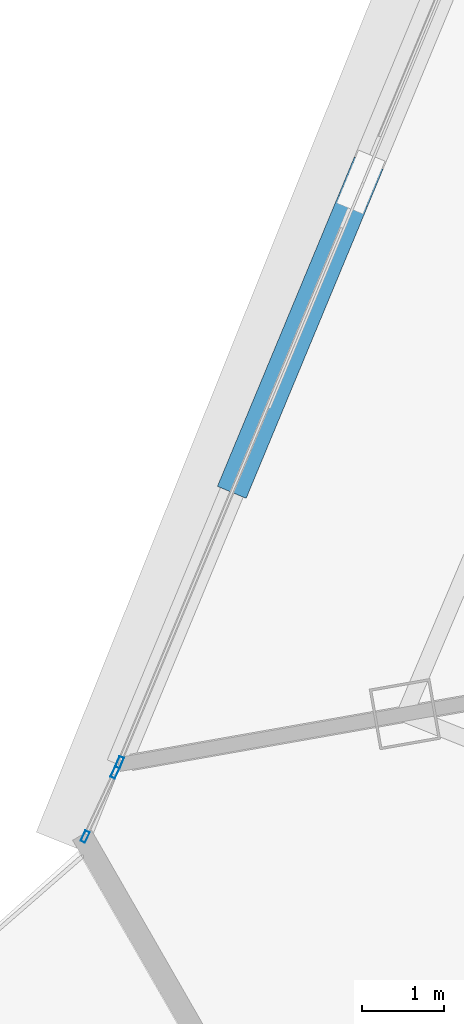
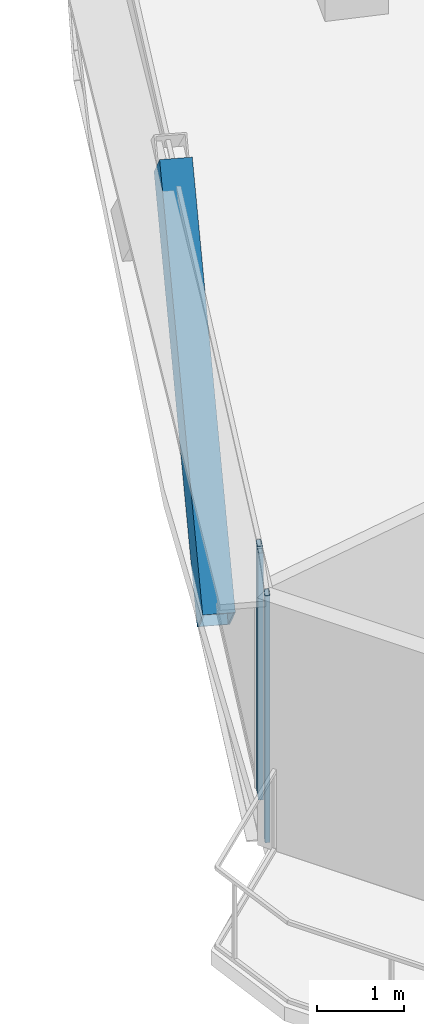
# One storey, part 4 of 37: 4 members, 2 elements without a shape of their own.
"""IFC4 building model written with IfcOpenShell, lengths in metres."""

from ifc_helpers import new_model, si_unit, direction, frame, origin, origin_2d, place, context, subcontext, project, spatial, hollow_rectangle, extrude, source, transform, mapped, material, layer, layer_set, material_profile, profile_set, type_object, element, aggregate, save


model = new_model("IFC4")

# Units and contexts
model_context = context("Model", 3, precision=1e-05, world=origin(), true_north=direction((0.0, 1.0)))
body_context = subcontext(model_context, "Body", "Model", "MODEL_VIEW")
ifc_project = project(units=[si_unit("LENGTHUNIT", "METRE"), si_unit("AREAUNIT", "SQUARE_METRE"), si_unit("VOLUMEUNIT", "CUBIC_METRE"), si_unit("PLANEANGLEUNIT", "RADIAN"), si_unit("MASSUNIT", "GRAM", prefix="KILO"), si_unit("THERMODYNAMICTEMPERATUREUNIT", "KELVIN"), si_unit("POWERUNIT", "WATT")], contexts=[model_context])

# Site, building, storey
site_placement = place(None, origin())
site = spatial("IfcSite", under=ifc_project, at=site_placement, CompositionType="ELEMENT")
building_placement = place(site_placement, origin())
building = spatial("IfcBuilding", under=site, at=building_placement, Name="Yunzhuo Pagoda Commons", CompositionType="ELEMENT")
storey_placement = place(building_placement, frame((0.0, 0.0, 277.56005859375)))
storey = spatial("IfcBuildingStorey", under=building, at=storey_placement, Name="L69", CompositionType="ELEMENT", Elevation=277.56005859375)

# Member
ifc_material_1 = material(Name="Structural steel Q355B", Category="steel")
ifc_material_profile_1 = material_profile(ifc_material_1, hollow_rectangle(XDim=0.3798828125, YDim=0.719970703125, WallThickness=0.02001953125, at=origin_2d()), Name="Structural steel Q355B")
ifc_profile_set_1 = profile_set([ifc_material_profile_1], Name="Structural steel Q355B")
member_type_1 = type_object("IfcMemberType", Name="M-DL3 Brace BOX 720x380x20", PredefinedType="BRACE", material=ifc_profile_set_1)
shared_shape_1 = source(origin(), body_context, "Body", "SweptSolid", [
    extrude(hollow_rectangle(XDim=0.3798828125, YDim=0.719970703125, WallThickness=0.02001953125, at=origin_2d()), origin(), (0.0, 0.0, 1.0), 5.356201171875),
])
member_1_placement = place(storey_placement, frame((17.3251953125, 31.58056640625, -0.260009765625), z_axis=(0.275496588463, 0.662668663645, 0.696399218817), x_axis=(-0.923381054941, 0.383884653739, 0.0)))
element("IfcMember", 1, at=member_1_placement, inside=storey, type_object=member_type_1, Name="L69 facade diamond brace F3.3R", PredefinedType="BRACE", context=body_context, shape_type="MappedRepresentation", body=[
    mapped(shared_shape_1, transform((0.0, 0.0, 0.0), scale=1.0)),
])

# Curtain wall, member
ifc_material_2 = material(Name="Anodized aluminium 6063-T6", Category="aluminium")
ifc_layer = layer(ifc_material_2, 0.139892578125)
ifc_layer_set = layer_set([ifc_layer], Name="Anodized aluminium 6063-T6")
curtain_wall_type = type_object("IfcCurtainWallType", Name="CW-HI High-Zone Ribbon Curtain Wall", PredefinedType="NOTDEFINED", material=ifc_layer_set)
curtain_wall_1_placement = place(storey_placement, origin())
curtain_wall_1 = element("IfcCurtainWall", 2, at=curtain_wall_1_placement, inside=storey, type_object=curtain_wall_type, Name="L69 curtain wall CW-L69-F3B4", PredefinedType="NOTDEFINED")
ifc_material_profile_2 = material_profile(ifc_material_2, hollow_rectangle(XDim=0.06005859375, YDim=0.139892578125, WallThickness=0.00341796875, at=origin_2d()), Name="Anodized aluminium 6063-T6")
ifc_profile_set_2 = profile_set([ifc_material_profile_2], Name="Anodized aluminium 6063-T6")
member_type_2 = type_object("IfcMemberType", Name="CW-HI-M Mullion RHS 140x60x3.5", PredefinedType="MULLION", material=ifc_profile_set_2)
shared_shape_2 = source(origin(), body_context, "Body", "SweptSolid", [
    extrude(hollow_rectangle(XDim=0.06005859375, YDim=0.139892578125, WallThickness=0.00341796875, at=origin_2d()), origin(), (0.0, 0.0, 1.0), 3.469970703125),
])
member_2_placement = place(storey_placement, frame((15.861328125, 28.058837890625, 0.0), z_axis=(0.0, 0.0, 1.0), x_axis=(0.923393531316, -0.383854642182, 0.0)))
member_2 = element("IfcMember", 3, at=member_2_placement, type_object=member_type_2, Name="CW mullion 2", PredefinedType="MULLION", context=body_context, shape_type="MappedRepresentation", body=[
    mapped(shared_shape_2, transform((0.0, 0.0, 0.0), scale=1.0)),
])
aggregate(curtain_wall_1, [member_2])

# Curtain wall, members
curtain_wall_2_placement = place(storey_placement, origin())
curtain_wall_2 = element("IfcCurtainWall", 4, at=curtain_wall_2_placement, inside=storey, type_object=curtain_wall_type, Name="L69 curtain wall CW-L69-F3B5", PredefinedType="NOTDEFINED")
member_3_placement = place(storey_placement, frame((15.8056640625, 27.935791015625, 0.0), z_axis=(0.0, 0.0, 1.0), x_axis=(0.906871417291, -0.421407442389, 0.0)))
member_3 = element("IfcMember", 5, at=member_3_placement, type_object=member_type_2, Name="CW mullion 1", PredefinedType="MULLION", context=body_context, shape_type="MappedRepresentation", body=[
    mapped(shared_shape_2, transform((0.0, 0.0, 0.0), scale=1.0)),
])
member_4_placement = place(storey_placement, frame((15.442138671875, 27.15380859375, 0.0), z_axis=(0.0, 0.0, 1.0), x_axis=(0.906871417291, -0.421407442389, 0.0)))
member_4 = element("IfcMember", 6, at=member_4_placement, type_object=member_type_2, Name="CW mullion 2", PredefinedType="MULLION", context=body_context, shape_type="MappedRepresentation", body=[
    mapped(shared_shape_2, transform((0.0, 0.0, 0.0), scale=1.0)),
])
aggregate(curtain_wall_2, [member_3, member_4])

save(model, "model.ifc")
